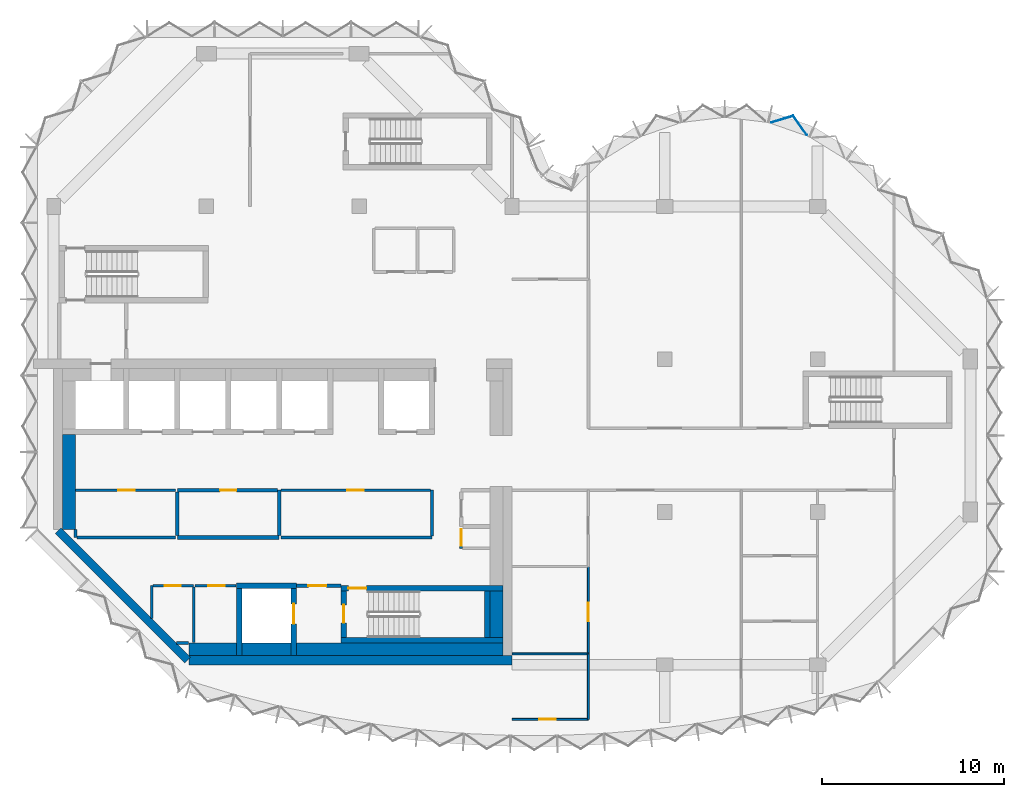
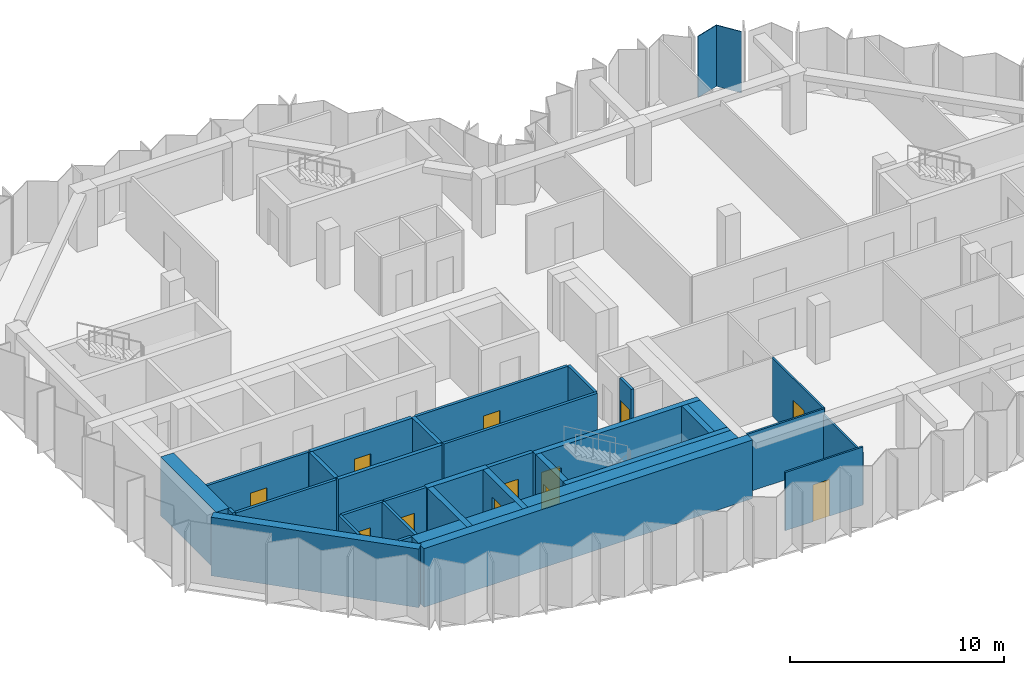
# One storey, part 4 of 9: 35 walls, 12 doors, 1 plate, 12 openings, 1 element without a shape of its own.
"""IFC4 building model written with IfcOpenShell, lengths in metres."""

from ifc_helpers import new_model, si_unit, direction, frame, frame_2d, origin, place, context, subcontext, project, spatial, polyline, rectangle, outline, extrude, material, layer, layer_set, type_object, element, fill, aggregate, save


model = new_model("IFC4")

# Units and contexts
model_context = context("Model", 3, precision=1e-05, world=origin(), true_north=direction((0.0, 1.0)))
body_context = subcontext(model_context, "Body", "Model", "MODEL_VIEW")
ifc_project = project(units=[si_unit("LENGTHUNIT", "METRE"), si_unit("AREAUNIT", "SQUARE_METRE"), si_unit("VOLUMEUNIT", "CUBIC_METRE"), si_unit("PLANEANGLEUNIT", "RADIAN"), si_unit("MASSUNIT", "GRAM", prefix="KILO")], contexts=[model_context])

# Site, building, storey
site_placement = place(None, origin())
site = spatial("IfcSite", under=ifc_project, at=site_placement, CompositionType="ELEMENT")
building_placement = place(site_placement, origin())
building = spatial("IfcBuilding", under=site, at=building_placement, Name="Brevane Broadcast Tower", CompositionType="ELEMENT")
storey_placement = place(building_placement, frame((0.0, 0.0, 226.5)))
storey = spatial("IfcBuildingStorey", under=building, at=storey_placement, Name="L57", CompositionType="ELEMENT", Elevation=226.5)

# Curtain wall, plate
ifc_material_1 = material(Name="Aluminium 6063-T6 bronze anodised", Category="aluminium")
curtain_wall_type = type_object("IfcCurtainWallType", Name="CW-1 curtain wall", PredefinedType="NOTDEFINED", material=ifc_material_1)
curtain_wall_placement = place(storey_placement, origin())
curtain_wall = element("IfcCurtainWall", 1, at=curtain_wall_placement, inside=storey, type_object=curtain_wall_type, Name="CW-1 typical tilted unit L57 east bow", PredefinedType="NOTDEFINED")
ifc_material_2 = material(Name="Laminated glass bronze-tinted", Category="glass")
ifc_layer_1 = layer(ifc_material_2, 0.0400390625)
ifc_layer_set_1 = layer_set([ifc_layer_1], Name="CW tall glass panel 40")
plate_type = type_object("IfcPlateType", Name="CW tall glass panel 40", PredefinedType="CURTAIN_PANEL", material=ifc_layer_set_1)
plate_placement = place(storey_placement, frame((0.0, 0.0, -0.14990234375)))
plate = element("IfcPlate", 2, at=plate_placement, type_object=plate_type, Name="CW-1 glass panel", PredefinedType="CURTAIN_PANEL", context=body_context, shape_type="SweptSolid", body=[
    extrude(outline(polyline([(41.3994140625, 29.104248046875), (41.4189453125, 29.1455078125), (40.667724609375, 30.20166015625), (39.45068359375, 29.83349609375), (39.440185546875, 29.78857421875), (40.65185546875, 30.155029296875), (41.3994140625, 29.104248046875)])), origin(), (0.0, 0.0, 1.0), 3.5),
])
aggregate(curtain_wall, [plate])

# Walls
ifc_material_3 = material(Name="Concrete C32/40", Category="concrete")
ifc_layer_2 = layer(ifc_material_3, 0.699951171875)
ifc_layer_set_2 = layer_set([ifc_layer_2], Name="Core chase wall 700 mm")
wall_type_1 = type_object("IfcWallType", Name="Core chase wall 700 mm", PredefinedType="PARTITIONING", material=ifc_layer_set_2)
wall_1_placement = place(storey_placement, frame((0.85009765625, 7.436279296875, 0.0), z_axis=(0.0, 0.0, 1.0), x_axis=(0.0, 1.0, 0.0)))
element("IfcWall", 3, at=wall_1_placement, inside=storey, type_object=wall_type_1, Name="L57 chase wall LW-1", PredefinedType="PARTITIONING", context=body_context, shape_type="SweptSolid", body=[
    extrude(rectangle(XDim=5.213623046875, YDim=0.699951171875, at=frame_2d((2.60693359375, 0.0))), origin(), (0.0, 0.0, 1.0), 3.35009765625),
])
wall_2_placement = place(storey_placement, frame((7.436279296875, 0.85009765625, 0.0), z_axis=(0.0, 0.0, 1.0), x_axis=(1.0, 0.0, 0.0)))
element("IfcWall", 4, at=wall_2_placement, inside=storey, type_object=wall_type_1, Name="L57 chase wall LS-1", PredefinedType="PARTITIONING", context=body_context, shape_type="SweptSolid", body=[
    extrude(rectangle(XDim=2.61376953125, YDim=0.699951171875, at=frame_2d((1.306884765625, 0.0))), origin(), (0.0, 0.0, 1.0), 3.35009765625),
])
wall_3_placement = place(storey_placement, frame((10.35009765625, 0.85009765625, 0.0), z_axis=(0.0, 0.0, 1.0), x_axis=(1.0, 0.0, 0.0)))
element("IfcWall", 5, at=wall_3_placement, inside=storey, type_object=wall_type_1, Name="L57 chase wall LS-2-1", PredefinedType="PARTITIONING", context=body_context, shape_type="SweptSolid", body=[
    extrude(rectangle(XDim=2.699951171875, YDim=0.699951171875, at=frame_2d((1.35009765625, 0.0))), origin(), (0.0, 0.0, 1.0), 3.35009765625),
])
wall_4_placement = place(storey_placement, frame((13.35009765625, 0.85009765625, 0.0), z_axis=(0.0, 0.0, 1.0), x_axis=(1.0, 0.0, 0.0)))
element("IfcWall", 6, at=wall_4_placement, inside=storey, type_object=wall_type_1, Name="L57 chase wall LS-2-2", PredefinedType="PARTITIONING", context=body_context, shape_type="SweptSolid", body=[
    extrude(rectangle(XDim=11.349853515625, YDim=0.699951171875, at=frame_2d((5.6748046875, 0.0))), origin(), (0.0, 0.0, 1.0), 3.35009765625),
])
wall_5_placement = place(storey_placement, frame((24.35009765625, 1.5, 0.0), z_axis=(0.0, 0.0, 1.0), x_axis=(0.0, 1.0, 0.0)))
element("IfcWall", 7, at=wall_5_placement, inside=storey, type_object=wall_type_1, Name="L57 chase wall LE1-2-1", PredefinedType="PARTITIONING", context=body_context, shape_type="SweptSolid", body=[
    extrude(rectangle(XDim=2.550048828125, YDim=0.699951171875, at=frame_2d((1.27490234375, 0.0))), origin(), (0.0, 0.0, 1.0), 3.35009765625),
])
ifc_material_4 = material(Name="Gypsum board on steel studs", Category="steel")
ifc_layer_3 = layer(ifc_material_4, 0.14990234375)
ifc_layer_set_3 = layer_set([ifc_layer_3], Name="Core fire partition 150 mm")
wall_type_2 = type_object("IfcWallType", Name="Core fire partition 150 mm", PredefinedType="PARTITIONING", material=ifc_layer_set_3)
wall_6_placement = place(storey_placement, frame((5.39990234375, 2.553466796875, 0.0), z_axis=(0.0, 0.0, 1.0), x_axis=(0.0, 1.0, 0.0)))
element("IfcWall", 8, at=wall_6_placement, inside=storey, type_object=wall_type_2, Name="L57 partition wall P11", PredefinedType="PARTITIONING", context=body_context, shape_type="SweptSolid", body=[
    extrude(rectangle(XDim=1.796630859375, YDim=0.14990234375, at=frame_2d((0.8984375, 0.0))), origin(), (0.0, 0.0, 1.0), 3.35009765625),
])

# Wall, opening, door
wall_7_placement = place(storey_placement, frame((5.47509765625, 4.35009765625, 0.0), z_axis=(0.0, 0.0, 1.0), x_axis=(1.0, 0.0, 0.0)))
wall_7 = element("IfcWall", 9, at=wall_7_placement, inside=storey, type_object=wall_type_2, Name="L57 partition wall P12", PredefinedType="PARTITIONING", context=body_context, shape_type="SweptSolid", body=[
    extrude(rectangle(XDim=2.224853515625, YDim=0.14990234375, at=frame_2d((1.1123046875, 0.0))), origin(), (0.0, 0.0, 1.0), 3.35009765625),
])
opening_1_placement = place(wall_7_placement, frame((0.625, 0.0, 0.0)))
opening_1 = element("IfcOpeningElement", 10, at=opening_1_placement, cuts=wall_7, Name="Opening L57-K14", PredefinedType="OPENING", context=body_context, shape_type="SweptSolid", body=[
    extrude(rectangle(XDim=0.89990234375, YDim=2.10009765625, at=frame_2d((0.449951171875, 1.050048828125))), frame((0.0, 0.0849609375, 0.0), z_axis=(0.0, -1.0, 0.0), x_axis=(1.0, 0.0, 0.0)), (0.0, 0.0, 1.0), 0.169921875),
])
ifc_material_5 = material(Name="Timber", Category="wood")
door_type_1 = type_object("IfcDoorType", Name="Toilet door 900 x 2100", OperationType="SINGLE_SWING_LEFT", PredefinedType="DOOR", material=ifc_material_5)
door_1_placement = place(opening_1_placement, origin())
door_1 = element("IfcDoor", 11, at=door_1_placement, inside=storey, type_object=door_type_1, Name="Door L57-K14", OperationType="SINGLE_SWING_RIGHT", OverallHeight=2.10009765625, OverallWidth=0.89990234375, PredefinedType="DOOR", context=body_context, shape_type="SweptSolid", body=[
    extrude(rectangle(XDim=0.89990234375, YDim=2.10009765625, at=frame_2d((0.449951171875, 1.050048828125))), frame((0.0, 0.02490234375, 0.0), z_axis=(0.0, -1.0, 0.0), x_axis=(1.0, 0.0, 0.0)), (0.0, 0.0, 1.0), 0.050048828125),
])
fill(opening_1, door_1)

# Walls
wall_8_placement = place(storey_placement, frame((7.699951171875, 4.27490234375, 0.0), z_axis=(0.0, 0.0, 1.0), x_axis=(0.0, -1.0, 0.0)))
element("IfcWall", 12, at=wall_8_placement, inside=storey, type_object=wall_type_2, Name="L57 partition wall P13", PredefinedType="PARTITIONING", context=body_context, shape_type="SweptSolid", body=[
    extrude(rectangle(XDim=3.06298828125, YDim=0.14990234375, at=frame_2d((1.531494140625, 0.0))), origin(), (0.0, 0.0, 1.0), 3.35009765625),
])
wall_9_placement = place(storey_placement, frame((7.42431640625, 1.199951171875, 0.0), z_axis=(0.0, 0.0, 1.0), x_axis=(-1.0, 0.0, 0.0)))
element("IfcWall", 13, at=wall_9_placement, inside=storey, type_object=wall_type_2, Name="L57 partition wall P14", PredefinedType="PARTITIONING", context=body_context, shape_type="SweptSolid", body=[
    extrude(rectangle(XDim=0.6708984375, YDim=0.14990234375, at=frame_2d((0.33544921875, 0.0))), origin(), (0.0, 0.0, 1.0), 3.35009765625),
])

# Wall, opening, door
wall_10_placement = place(storey_placement, frame((6.699951171875, 9.60009765625, 0.0), z_axis=(0.0, 0.0, 1.0), x_axis=(-1.0, 0.0, 0.0)))
wall_10 = element("IfcWall", 14, at=wall_10_placement, inside=storey, type_object=wall_type_2, Name="L57 partition wall P15", PredefinedType="PARTITIONING", context=body_context, shape_type="SweptSolid", body=[
    extrude(rectangle(XDim=5.488037109375, YDim=0.14990234375, at=frame_2d((2.744140625, 0.0))), origin(), (0.0, 0.0, 1.0), 3.35009765625),
])
opening_2_placement = place(wall_10_placement, frame((2.25, 0.0, 0.0)))
opening_2 = element("IfcOpeningElement", 15, at=opening_2_placement, cuts=wall_10, Name="Opening L57-K19", PredefinedType="OPENING", context=body_context, shape_type="SweptSolid", body=[
    extrude(rectangle(XDim=0.89990234375, YDim=2.10009765625, at=frame_2d((0.449951171875, 1.050048828125))), frame((0.0, 0.0849609375, 0.0), z_axis=(0.0, -1.0, 0.0), x_axis=(1.0, 0.0, 0.0)), (0.0, 0.0, 1.0), 0.169921875),
])
ifc_material_6 = material(Name="Steel", Category="steel")
door_type_2 = type_object("IfcDoorType", Name="Service room door 900 x 2100", OperationType="SINGLE_SWING_LEFT", PredefinedType="DOOR", material=ifc_material_6)
door_2_placement = place(opening_2_placement, origin())
door_2 = element("IfcDoor", 16, at=door_2_placement, inside=storey, type_object=door_type_2, Name="Door L57-K19", OperationType="SINGLE_SWING_LEFT", OverallHeight=2.10009765625, OverallWidth=0.89990234375, PredefinedType="DOOR", context=body_context, shape_type="SweptSolid", body=[
    extrude(rectangle(XDim=0.89990234375, YDim=2.10009765625, at=frame_2d((0.449951171875, 1.050048828125))), frame((0.0, 0.02490234375, 0.0), z_axis=(0.0, -1.0, 0.0), x_axis=(1.0, 0.0, 0.0)), (0.0, 0.0, 1.0), 0.050048828125),
])
fill(opening_2, door_2)

# Walls
wall_11_placement = place(storey_placement, frame((1.199951171875, 7.42431640625, 0.0), z_axis=(0.0, 0.0, 1.0), x_axis=(0.0, -1.0, 0.0)))
element("IfcWall", 17, at=wall_11_placement, inside=storey, type_object=wall_type_2, Name="L57 partition wall P16", PredefinedType="PARTITIONING", context=body_context, shape_type="SweptSolid", body=[
    extrude(rectangle(XDim=0.42431640625, YDim=0.14990234375, at=frame_2d((0.212158203125, 0.0))), origin(), (0.0, 0.0, 1.0), 3.35009765625),
])
wall_12_placement = place(storey_placement, frame((1.27490234375, 7.0, 0.0), z_axis=(0.0, 0.0, 1.0), x_axis=(1.0, 0.0, 0.0)))
element("IfcWall", 18, at=wall_12_placement, inside=storey, type_object=wall_type_2, Name="L57 partition wall P17", PredefinedType="PARTITIONING", context=body_context, shape_type="SweptSolid", body=[
    extrude(rectangle(XDim=5.425048828125, YDim=0.14990234375, at=frame_2d((2.71240234375, 0.0))), origin(), (0.0, 0.0, 1.0), 3.35009765625),
])

# Wall, opening, door
wall_13_placement = place(storey_placement, frame((10.0380859375, 4.35009765625, 0.0), z_axis=(0.0, 0.0, 1.0), x_axis=(-1.0, 0.0, 0.0)))
wall_13 = element("IfcWall", 19, at=wall_13_placement, inside=storey, type_object=wall_type_2, Name="L57 partition wall P18", PredefinedType="PARTITIONING", context=body_context, shape_type="SweptSolid", body=[
    extrude(rectangle(XDim=2.26318359375, YDim=0.14990234375, at=frame_2d((1.131591796875, 0.0))), origin(), (0.0, 0.0, 1.0), 3.35009765625),
])
opening_3_placement = place(wall_13_placement, frame((0.637939453125, 0.0, 0.0)))
opening_3 = element("IfcOpeningElement", 20, at=opening_3_placement, cuts=wall_13, Name="Opening L57-K15", PredefinedType="OPENING", context=body_context, shape_type="SweptSolid", body=[
    extrude(rectangle(XDim=0.89990234375, YDim=2.10009765625, at=frame_2d((0.449951171875, 1.050048828125))), frame((0.0, 0.0849609375, 0.0), z_axis=(0.0, -1.0, 0.0), x_axis=(1.0, 0.0, 0.0)), (0.0, 0.0, 1.0), 0.169921875),
])
door_3_placement = place(opening_3_placement, origin())
door_3 = element("IfcDoor", 21, at=door_3_placement, inside=storey, type_object=door_type_1, Name="Door L57-K15", OperationType="SINGLE_SWING_LEFT", OverallHeight=2.10009765625, OverallWidth=0.89990234375, PredefinedType="DOOR", context=body_context, shape_type="SweptSolid", body=[
    extrude(rectangle(XDim=0.89990234375, YDim=2.10009765625, at=frame_2d((0.449951171875, 1.050048828125))), frame((0.0, 0.02490234375, 0.0), z_axis=(0.0, -1.0, 0.0), x_axis=(1.0, 0.0, 0.0)), (0.0, 0.0, 1.0), 0.050048828125),
])
fill(opening_3, door_3)

# Walls
wall_14_placement = place(storey_placement, frame((12.5, 7.0, 0.0), z_axis=(0.0, 0.0, 1.0), x_axis=(1.0, 0.0, 0.0)))
element("IfcWall", 22, at=wall_14_placement, inside=storey, type_object=wall_type_2, Name="L57 partition wall P19", PredefinedType="PARTITIONING", context=body_context, shape_type="SweptSolid", body=[
    extrude(rectangle(XDim=8.300048828125, YDim=0.14990234375, at=frame_2d((4.14990234375, 0.0))), origin(), (0.0, 0.0, 1.0), 3.35009765625),
])
wall_15_placement = place(storey_placement, frame((20.800048828125, 7.074951171875, 0.0), z_axis=(0.0, 0.0, 1.0), x_axis=(0.0, 1.0, 0.0)))
element("IfcWall", 23, at=wall_15_placement, inside=storey, type_object=wall_type_2, Name="L57 partition wall P20", PredefinedType="PARTITIONING", context=body_context, shape_type="SweptSolid", body=[
    extrude(rectangle(XDim=2.525146484375, YDim=0.14990234375, at=frame_2d((1.2626953125, 0.0))), origin(), (0.0, 0.0, 1.0), 3.35009765625),
])

# Wall, opening, door
wall_16_placement = place(storey_placement, frame((20.72509765625, 9.60009765625, 0.0), z_axis=(0.0, 0.0, 1.0), x_axis=(-1.0, 0.0, 0.0)))
wall_16 = element("IfcWall", 24, at=wall_16_placement, inside=storey, type_object=wall_type_2, Name="L57 partition wall P21", PredefinedType="PARTITIONING", context=body_context, shape_type="SweptSolid", body=[
    extrude(rectangle(XDim=8.22509765625, YDim=0.14990234375, at=frame_2d((4.112548828125, 0.0))), origin(), (0.0, 0.0, 1.0), 3.35009765625),
])
opening_4_placement = place(wall_16_placement, frame((3.675048828125, 0.0, 0.0)))
opening_4 = element("IfcOpeningElement", 25, at=opening_4_placement, cuts=wall_16, Name="Opening L57-K21", PredefinedType="OPENING", context=body_context, shape_type="SweptSolid", body=[
    extrude(rectangle(XDim=0.89990234375, YDim=2.10009765625, at=frame_2d((0.449951171875, 1.050048828125))), frame((0.0, 0.0849609375, 0.0), z_axis=(0.0, -1.0, 0.0), x_axis=(1.0, 0.0, 0.0)), (0.0, 0.0, 1.0), 0.169921875),
])
door_4_placement = place(opening_4_placement, origin())
door_4 = element("IfcDoor", 26, at=door_4_placement, inside=storey, type_object=door_type_2, Name="Door L57-K21", OperationType="SINGLE_SWING_LEFT", OverallHeight=2.10009765625, OverallWidth=0.89990234375, PredefinedType="DOOR", context=body_context, shape_type="SweptSolid", body=[
    extrude(rectangle(XDim=0.89990234375, YDim=2.10009765625, at=frame_2d((0.449951171875, 1.050048828125))), frame((0.0, 0.02490234375, 0.0), z_axis=(0.0, -1.0, 0.0), x_axis=(1.0, 0.0, 0.0)), (0.0, 0.0, 1.0), 0.050048828125),
])
fill(opening_4, door_4)

wall_17_placement = place(storey_placement, frame((22.39990234375, 7.5, 0.0), z_axis=(0.0, 0.0, 1.0), x_axis=(0.0, -1.0, 0.0)))
wall_17 = element("IfcWall", 27, at=wall_17_placement, inside=storey, type_object=wall_type_2, Name="L57 partition wall P29", PredefinedType="PARTITIONING", context=body_context, shape_type="SweptSolid", body=[
    extrude(rectangle(XDim=1.10009765625, YDim=0.14990234375, at=frame_2d((0.550048828125, 0.0))), origin(), (0.0, 0.0, 1.0), 3.35009765625),
])
opening_5_placement = place(wall_17_placement, frame((0.050048828125, 0.0, 0.0)))
opening_5 = element("IfcOpeningElement", 28, at=opening_5_placement, cuts=wall_17, Name="Opening L57-K17", PredefinedType="OPENING", context=body_context, shape_type="SweptSolid", body=[
    extrude(rectangle(XDim=0.89990234375, YDim=2.10009765625, at=frame_2d((0.449951171875, 1.050048828125))), frame((0.0, 0.0849609375, 0.0), z_axis=(0.0, -1.0, 0.0), x_axis=(1.0, 0.0, 0.0)), (0.0, 0.0, 1.0), 0.169921875),
])
door_5_placement = place(opening_5_placement, origin())
door_5 = element("IfcDoor", 29, at=door_5_placement, inside=storey, type_object=door_type_2, Name="Door L57-K17", OperationType="SINGLE_SWING_LEFT", OverallHeight=2.10009765625, OverallWidth=0.89990234375, PredefinedType="DOOR", context=body_context, shape_type="SweptSolid", body=[
    extrude(rectangle(XDim=0.89990234375, YDim=2.10009765625, at=frame_2d((0.449951171875, 1.050048828125))), frame((0.0, 0.02490234375, 0.0), z_axis=(0.0, -1.0, 0.0), x_axis=(1.0, 0.0, 0.0)), (0.0, 0.0, 1.0), 0.050048828125),
])
fill(opening_5, door_5)

ifc_layer_4 = layer(ifc_material_4, 0.199951171875)
ifc_layer_set_4 = layer_set([ifc_layer_4], Name="Core fire partition 200 mm")
wall_type_3 = type_object("IfcWallType", Name="Core fire partition 200 mm", PredefinedType="PARTITIONING", material=ifc_layer_set_4)
wall_18_placement = place(storey_placement, frame((13.362060546875, 4.35009765625, 0.0), z_axis=(0.0, 0.0, 1.0), x_axis=(1.0, 0.0, 0.0)))
wall_18 = element("IfcWall", 30, at=wall_18_placement, inside=storey, type_object=wall_type_3, Name="L57 partition wall P03", PredefinedType="PARTITIONING", context=body_context, shape_type="SweptSolid", body=[
    extrude(rectangle(XDim=2.426025390625, YDim=0.199951171875, at=frame_2d((1.212890625, 0.0))), origin(), (0.0, 0.0, 1.0), 3.35009765625),
])
opening_6_placement = place(wall_18_placement, frame((0.637939453125, 0.0, 0.0)))
opening_6 = element("IfcOpeningElement", 31, at=opening_6_placement, cuts=wall_18, Name="Opening L57-K16", PredefinedType="OPENING", context=body_context, shape_type="SweptSolid", body=[
    extrude(rectangle(XDim=1.0, YDim=2.10009765625, at=frame_2d((0.5, 1.050048828125))), frame((0.0, 0.10986328125, 0.0), z_axis=(0.0, -1.0, 0.0), x_axis=(1.0, 0.0, 0.0)), (0.0, 0.0, 1.0), 0.219970703125),
])
door_type_3 = type_object("IfcDoorType", Name="Stair door 1000 x 2100", OperationType="SINGLE_SWING_LEFT", PredefinedType="DOOR", material=ifc_material_6)
door_6_placement = place(opening_6_placement, origin())
door_6 = element("IfcDoor", 32, at=door_6_placement, inside=storey, type_object=door_type_3, Name="Door L57-K16", OperationType="SINGLE_SWING_RIGHT", OverallHeight=2.10009765625, OverallWidth=1.0, PredefinedType="DOOR", context=body_context, shape_type="SweptSolid", body=[
    extrude(rectangle(XDim=1.0, YDim=2.10009765625, at=frame_2d((0.5, 1.050048828125))), frame((0.0, 0.02490234375, 0.0), z_axis=(0.0, -1.0, 0.0), x_axis=(1.0, 0.0, 0.0)), (0.0, 0.0, 1.0), 0.050048828125),
])
fill(opening_6, door_6)

# Walls
wall_19_placement = place(storey_placement, frame((6.800048828125, 7.0, 0.0), z_axis=(0.0, 0.0, 1.0), x_axis=(1.0, 0.0, 0.0)))
element("IfcWall", 33, at=wall_19_placement, inside=storey, type_object=wall_type_3, Name="L57 partition wall P07", PredefinedType="PARTITIONING", context=body_context, shape_type="SweptSolid", body=[
    extrude(rectangle(XDim=5.599853515625, YDim=0.199951171875, at=frame_2d((2.7998046875, 0.0))), origin(), (0.0, 0.0, 1.0), 3.35009765625),
])
wall_20_placement = place(storey_placement, frame((12.39990234375, 7.10009765625, 0.0), z_axis=(0.0, 0.0, 1.0), x_axis=(0.0, 1.0, 0.0)))
element("IfcWall", 34, at=wall_20_placement, inside=storey, type_object=wall_type_3, Name="L57 partition wall P08", PredefinedType="PARTITIONING", context=body_context, shape_type="SweptSolid", body=[
    extrude(rectangle(XDim=2.5, YDim=0.199951171875, at=frame_2d((1.25, 0.0))), origin(), (0.0, 0.0, 1.0), 3.35009765625),
])

# Wall, opening, door
wall_21_placement = place(storey_placement, frame((12.300048828125, 9.60009765625, 0.0), z_axis=(0.0, 0.0, 1.0), x_axis=(-1.0, 0.0, 0.0)))
wall_21 = element("IfcWall", 35, at=wall_21_placement, inside=storey, type_object=wall_type_3, Name="L57 partition wall P09", PredefinedType="PARTITIONING", context=body_context, shape_type="SweptSolid", body=[
    extrude(rectangle(XDim=5.5, YDim=0.199951171875, at=frame_2d((2.75, 0.0))), origin(), (0.0, 0.0, 1.0), 3.35009765625),
])
opening_7_placement = place(wall_21_placement, frame((2.25, 0.0, 0.0)))
opening_7 = element("IfcOpeningElement", 36, at=opening_7_placement, cuts=wall_21, Name="Opening L57-K20", PredefinedType="OPENING", context=body_context, shape_type="SweptSolid", body=[
    extrude(rectangle(XDim=0.89990234375, YDim=2.10009765625, at=frame_2d((0.449951171875, 1.050048828125))), frame((0.0, 0.10986328125, 0.0), z_axis=(0.0, -1.0, 0.0), x_axis=(1.0, 0.0, 0.0)), (0.0, 0.0, 1.0), 0.219970703125),
])
door_7_placement = place(opening_7_placement, origin())
door_7 = element("IfcDoor", 37, at=door_7_placement, inside=storey, type_object=door_type_2, Name="Door L57-K20", OperationType="SINGLE_SWING_RIGHT", OverallHeight=2.10009765625, OverallWidth=0.89990234375, PredefinedType="DOOR", context=body_context, shape_type="SweptSolid", body=[
    extrude(rectangle(XDim=0.89990234375, YDim=2.10009765625, at=frame_2d((0.449951171875, 1.050048828125))), frame((0.0, 0.02490234375, 0.0), z_axis=(0.0, -1.0, 0.0), x_axis=(1.0, 0.0, 0.0)), (0.0, 0.0, 1.0), 0.050048828125),
])
fill(opening_7, door_7)

# Walls
wall_22_placement = place(storey_placement, frame((6.800048828125, 9.5, 0.0), z_axis=(0.0, 0.0, 1.0), x_axis=(0.0, -1.0, 0.0)))
element("IfcWall", 38, at=wall_22_placement, inside=storey, type_object=wall_type_3, Name="L57 partition wall P10", PredefinedType="PARTITIONING", context=body_context, shape_type="SweptSolid", body=[
    extrude(rectangle(XDim=2.39990234375, YDim=0.199951171875, at=frame_2d((1.199951171875, 0.0))), origin(), (0.0, 0.0, 1.0), 3.35009765625),
])
ifc_material_7 = material(Name="Concrete C50/60", Category="concrete")
ifc_layer_5 = layer(ifc_material_7, 0.300048828125)
ifc_layer_set_5 = layer_set([ifc_layer_5], Name="Core wall 300 mm C50/60")
wall_type_4 = type_object("IfcWallType", Name="Core wall 300 mm C50/60", PredefinedType="SHEAR", material=ifc_layer_set_5)
wall_23_placement = place(storey_placement, frame((10.199951171875, 0.5, 0.0), z_axis=(0.0, 0.0, 1.0), x_axis=(0.0, 1.0, 0.0)))
element("IfcWall", 39, at=wall_23_placement, inside=storey, type_object=wall_type_4, Name="L57 shaft wall FF2-W", PredefinedType="SHEAR", context=body_context, shape_type="SweptSolid", body=[
    extrude(rectangle(XDim=3.699951171875, YDim=0.300048828125, at=frame_2d((1.85009765625, 0.0))), origin(), (0.0, 0.0, 1.0), 3.35009765625),
])

# Wall, opening, door
wall_24_placement = place(storey_placement, frame((13.199951171875, 0.5, 0.0), z_axis=(0.0, 0.0, 1.0), x_axis=(0.0, 1.0, 0.0)))
wall_24 = element("IfcWall", 40, at=wall_24_placement, inside=storey, type_object=wall_type_4, Name="L57 shaft wall FF2-E", PredefinedType="SHEAR", context=body_context, shape_type="SweptSolid", body=[
    extrude(rectangle(XDim=3.699951171875, YDim=0.300048828125, at=frame_2d((1.85009765625, 0.0))), origin(), (0.0, 0.0, 1.0), 3.35009765625),
])
opening_8_placement = place(wall_24_placement, frame((1.75, 0.0, 0.0)))
opening_8 = element("IfcOpeningElement", 41, at=opening_8_placement, cuts=wall_24, Name="Opening LD", PredefinedType="OPENING", context=body_context, shape_type="SweptSolid", body=[
    extrude(rectangle(XDim=1.10009765625, YDim=2.300048828125, at=frame_2d((0.550048828125, 1.14990234375))), frame((0.0, 0.159912109375, 0.0), z_axis=(0.0, -1.0, 0.0), x_axis=(1.0, 0.0, 0.0)), (0.0, 0.0, 1.0), 0.320068359375),
])
ifc_material_8 = material(Name="Stainless steel", Category="steel")
door_type_4 = type_object("IfcDoorType", Name="Lift landing door", OperationType="SLIDING_TO_LEFT", PredefinedType="DOOR", material=ifc_material_8)
door_8_placement = place(opening_8_placement, origin())
door_8 = element("IfcDoor", 42, at=door_8_placement, inside=storey, type_object=door_type_4, Name="Landing door FF2 L57", OperationType="SLIDING_TO_LEFT", OverallHeight=2.300048828125, OverallWidth=1.10009765625, PredefinedType="DOOR", context=body_context, shape_type="SweptSolid", body=[
    extrude(rectangle(XDim=1.10009765625, YDim=2.300048828125, at=frame_2d((0.550048828125, 1.14990234375))), frame((0.0, 0.02490234375, 0.0), z_axis=(0.0, -1.0, 0.0), x_axis=(1.0, 0.0, 0.0)), (0.0, 0.0, 1.0), 0.050048828125),
])
fill(opening_8, door_8)

# Walls
wall_25_placement = place(storey_placement, frame((10.050048828125, 4.35009765625, 0.0), z_axis=(0.0, 0.0, 1.0), x_axis=(1.0, 0.0, 0.0)))
element("IfcWall", 43, at=wall_25_placement, inside=storey, type_object=wall_type_4, Name="L57 shaft wall FF2-N", PredefinedType="SHEAR", context=body_context, shape_type="SweptSolid", body=[
    extrude(rectangle(XDim=3.300048828125, YDim=0.300048828125, at=frame_2d((1.64990234375, 0.0))), origin(), (0.0, 0.0, 1.0), 3.35009765625),
])
wall_26_placement = place(storey_placement, frame((15.800048828125, 1.35009765625, 0.0), z_axis=(0.0, 0.0, 1.0), x_axis=(1.0, 0.0, 0.0)))
element("IfcWall", 44, at=wall_26_placement, inside=storey, type_object=wall_type_4, Name="L57 stair wall ST-2-S", PredefinedType="SHEAR", context=body_context, shape_type="SweptSolid", body=[
    extrude(rectangle(XDim=8.89990234375, YDim=0.300048828125, at=frame_2d((4.449951171875, 0.0))), origin(), (0.0, 0.0, 1.0), 3.35009765625),
])

# Wall, opening, door
wall_27_placement = place(storey_placement, frame((15.800048828125, 4.199951171875, 0.0), z_axis=(0.0, 0.0, 1.0), x_axis=(1.0, 0.0, 0.0)))
wall_27 = element("IfcWall", 45, at=wall_27_placement, inside=storey, type_object=wall_type_4, Name="L57 stair wall ST-2-N", PredefinedType="SHEAR", context=body_context, shape_type="SweptSolid", body=[
    extrude(rectangle(XDim=8.89990234375, YDim=0.300048828125, at=frame_2d((4.449951171875, 0.0))), origin(), (0.0, 0.0, 1.0), 3.35009765625),
])
opening_9_placement = place(wall_27_placement, frame((0.39990234375, 0.0, 0.0)))
opening_9 = element("IfcOpeningElement", 46, at=opening_9_placement, cuts=wall_27, Name="Opening L57-K11", PredefinedType="OPENING", context=body_context, shape_type="SweptSolid", body=[
    extrude(rectangle(XDim=1.0, YDim=2.10009765625, at=frame_2d((0.5, 1.050048828125))), frame((0.0, 0.159912109375, 0.0), z_axis=(0.0, -1.0, 0.0), x_axis=(1.0, 0.0, 0.0)), (0.0, 0.0, 1.0), 0.320068359375),
])
door_9_placement = place(opening_9_placement, origin())
door_9 = element("IfcDoor", 47, at=door_9_placement, inside=storey, type_object=door_type_3, Name="Door L57-K11", OperationType="SINGLE_SWING_LEFT", OverallHeight=2.10009765625, OverallWidth=1.0, PredefinedType="DOOR", context=body_context, shape_type="SweptSolid", body=[
    extrude(rectangle(XDim=1.0, YDim=2.10009765625, at=frame_2d((0.5, 1.050048828125))), frame((0.0, 0.02490234375, 0.0), z_axis=(0.0, -1.0, 0.0), x_axis=(1.0, 0.0, 0.0)), (0.0, 0.0, 1.0), 0.050048828125),
])
fill(opening_9, door_9)

wall_28_placement = place(storey_placement, frame((15.949951171875, 1.5, 0.0), z_axis=(0.0, 0.0, 1.0), x_axis=(0.0, 1.0, 0.0)))
wall_28 = element("IfcWall", 48, at=wall_28_placement, inside=storey, type_object=wall_type_4, Name="L57 stair wall ST-2-W", PredefinedType="SHEAR", context=body_context, shape_type="SweptSolid", body=[
    extrude(rectangle(XDim=2.550048828125, YDim=0.300048828125, at=frame_2d((1.27490234375, 0.0))), origin(), (0.0, 0.0, 1.0), 3.35009765625),
])
opening_10_placement = place(wall_28_placement, frame((0.800048828125, 0.0, 0.0)))
opening_10 = element("IfcOpeningElement", 49, at=opening_10_placement, cuts=wall_28, Name="Opening L57-K10", PredefinedType="OPENING", context=body_context, shape_type="SweptSolid", body=[
    extrude(rectangle(XDim=1.0, YDim=2.10009765625, at=frame_2d((0.5, 1.050048828125))), frame((0.0, 0.159912109375, 0.0), z_axis=(0.0, -1.0, 0.0), x_axis=(1.0, 0.0, 0.0)), (0.0, 0.0, 1.0), 0.320068359375),
])
door_10_placement = place(opening_10_placement, origin())
door_10 = element("IfcDoor", 50, at=door_10_placement, inside=storey, type_object=door_type_3, Name="Door L57-K10", OperationType="SINGLE_SWING_RIGHT", OverallHeight=2.10009765625, OverallWidth=1.0, PredefinedType="DOOR", context=body_context, shape_type="SweptSolid", body=[
    extrude(rectangle(XDim=1.0, YDim=2.10009765625, at=frame_2d((0.5, 1.050048828125))), frame((0.0, 0.02490234375, 0.0), z_axis=(0.0, -1.0, 0.0), x_axis=(1.0, 0.0, 0.0)), (0.0, 0.0, 1.0), 0.050048828125),
])
fill(opening_10, door_10)

# Walls
wall_29_placement = place(storey_placement, frame((23.85009765625, 1.5, 0.0), z_axis=(0.0, 0.0, 1.0), x_axis=(0.0, 1.0, 0.0)))
element("IfcWall", 51, at=wall_29_placement, inside=storey, type_object=wall_type_4, Name="L57 stair wall ST-2-E", PredefinedType="SHEAR", context=body_context, shape_type="SweptSolid", body=[
    extrude(rectangle(XDim=2.550048828125, YDim=0.300048828125, at=frame_2d((1.27490234375, 0.0))), origin(), (0.0, 0.0, 1.0), 3.35009765625),
])
ifc_layer_6 = layer(ifc_material_7, 0.449951171875)
ifc_layer_set_6 = layer_set([ifc_layer_6], Name="Core wall 450 mm C50/60")
wall_type_5 = type_object("IfcWallType", Name="Core wall 450 mm C50/60", PredefinedType="SHEAR", material=ifc_layer_set_6)
wall_30_placement = place(storey_placement, frame((0.25, 7.3681640625, 0.0), z_axis=(0.0, 0.0, 1.0), x_axis=(0.707106781187, -0.707106781187, 0.0)))
element("IfcWall", 52, at=wall_30_placement, inside=storey, type_object=wall_type_5, Name="L57 outer wall WC", PredefinedType="SHEAR", context=body_context, shape_type="SweptSolid", body=[
    extrude(rectangle(XDim=10.066650390625, YDim=0.449951171875, at=frame_2d((5.033203125, 0.0))), origin(), (0.0, 0.0, 1.0), 3.35009765625),
])
ifc_layer_7 = layer(ifc_material_7, 0.5)
ifc_layer_set_7 = layer_set([ifc_layer_7], Name="Core wall 500 mm C50/60")
wall_type_6 = type_object("IfcWallType", Name="Core wall 500 mm C50/60", PredefinedType="SHEAR", material=ifc_layer_set_7)
wall_31_placement = place(storey_placement, frame((7.436279296875, 0.25, 0.0), z_axis=(0.0, 0.0, 1.0), x_axis=(1.0, 0.0, 0.0)))
element("IfcWall", 53, at=wall_31_placement, inside=storey, type_object=wall_type_6, Name="L57 outer wall WS", PredefinedType="SHEAR", context=body_context, shape_type="SweptSolid", body=[
    extrude(rectangle(XDim=17.763671875, YDim=0.5, at=frame_2d((8.8818359375, 0.0))), origin(), (0.0, 0.0, 1.0), 3.35009765625),
])

# Wall, opening, door
ifc_material_9 = material(Name="Gypsum board partition")
ifc_layer_8 = layer(ifc_material_9, 0.10009765625)
ifc_layer_set_8 = layer_set([ifc_layer_8], Name="PARTITION 100 STUD")
wall_type_7 = type_object("IfcWallType", Name="PARTITION 100 STUD", PredefinedType="PARTITIONING", material=ifc_layer_set_8)
wall_32_placement = place(storey_placement, frame((25.199951171875, -3.0, 0.0), z_axis=(0.0, 0.0, 1.0), x_axis=(1.0, 0.0, 0.0)))
wall_32 = element("IfcWall", 54, at=wall_32_placement, inside=storey, type_object=wall_type_7, Name="Partition G17-017", PredefinedType="PARTITIONING", context=body_context, shape_type="SweptSolid", body=[
    extrude(rectangle(XDim=4.199951171875, YDim=0.10009765625, at=frame_2d((2.10009765625, 0.0))), origin(), (0.0, 0.0, 1.0), 3.330078125),
])
opening_11_placement = place(wall_32_placement, frame((1.5, 0.0, 0.0)))
opening_11 = element("IfcOpeningElement", 55, at=opening_11_placement, cuts=wall_32, Name="Opening D28-007", PredefinedType="OPENING", context=body_context, shape_type="SweptSolid", body=[
    extrude(rectangle(XDim=0.89990234375, YDim=2.10009765625, at=frame_2d((0.449951171875, 1.050048828125))), frame((0.0, 0.06005859375, 0.0), z_axis=(0.0, -1.0, 0.0), x_axis=(1.0, 0.0, 0.0)), (0.0, 0.0, 1.0), 0.1201171875),
])
ifc_material_10 = material(Name="Timber door leaf", Category="wood")
door_type_5 = type_object("IfcDoorType", Name="DOOR SINGLE 900 INTERNAL", OperationType="SINGLE_SWING_LEFT", PredefinedType="DOOR", material=ifc_material_10)
door_11_placement = place(opening_11_placement, origin())
door_11 = element("IfcDoor", 56, at=door_11_placement, inside=storey, type_object=door_type_5, Name="Door D28-007", OperationType="SINGLE_SWING_LEFT", OverallHeight=2.10009765625, OverallWidth=0.89990234375, PredefinedType="DOOR", context=body_context, shape_type="SweptSolid", body=[
    extrude(rectangle(XDim=0.89990234375, YDim=2.10009765625, at=frame_2d((0.449951171875, 1.050048828125))), frame((0.0, 0.02490234375, 0.0), z_axis=(0.0, -1.0, 0.0), x_axis=(1.0, 0.0, 0.0)), (0.0, 0.0, 1.0), 0.050048828125),
])
fill(opening_11, door_11)

# Wall
wall_33_placement = place(storey_placement, frame((29.39990234375, -3.0, 0.0), z_axis=(0.0, 0.0, 1.0), x_axis=(0.0, 1.0, 0.0)))
element("IfcWall", 57, at=wall_33_placement, inside=storey, type_object=wall_type_7, Name="Partition G17-018", PredefinedType="PARTITIONING", context=body_context, shape_type="SweptSolid", body=[
    extrude(rectangle(XDim=3.60009765625, YDim=0.10009765625, at=frame_2d((1.800048828125, 0.0))), origin(), (0.0, 0.0, 1.0), 2.97998046875),
])

# Wall, opening, door
wall_34_placement = place(storey_placement, frame((29.39990234375, 0.60009765625, 0.0), z_axis=(0.0, 0.0, 1.0), x_axis=(0.0, 1.0, 0.0)))
wall_34 = element("IfcWall", 58, at=wall_34_placement, inside=storey, type_object=wall_type_7, Name="Partition G17-019", PredefinedType="PARTITIONING", context=body_context, shape_type="SweptSolid", body=[
    extrude(rectangle(XDim=4.7998046875, YDim=0.10009765625, at=frame_2d((2.39990234375, 0.0))), origin(), (0.0, 0.0, 1.0), 3.330078125),
])
opening_12_placement = place(wall_34_placement, frame((1.800048828125, 0.0, 0.0)))
opening_12 = element("IfcOpeningElement", 59, at=opening_12_placement, cuts=wall_34, Name="Opening D28-008", PredefinedType="OPENING", context=body_context, shape_type="SweptSolid", body=[
    extrude(rectangle(XDim=1.0, YDim=2.10009765625, at=frame_2d((0.5, 1.050048828125))), frame((0.0, 0.06005859375, 0.0), z_axis=(0.0, -1.0, 0.0), x_axis=(1.0, 0.0, 0.0)), (0.0, 0.0, 1.0), 0.1201171875),
])
door_type_6 = type_object("IfcDoorType", Name="DOOR SINGLE 1000 INTERNAL", OperationType="SINGLE_SWING_LEFT", PredefinedType="DOOR", material=ifc_material_10)
door_12_placement = place(opening_12_placement, origin())
door_12 = element("IfcDoor", 60, at=door_12_placement, inside=storey, type_object=door_type_6, Name="Door D28-008", OperationType="SINGLE_SWING_LEFT", OverallHeight=2.10009765625, OverallWidth=1.0, PredefinedType="DOOR", context=body_context, shape_type="SweptSolid", body=[
    extrude(rectangle(XDim=1.0, YDim=2.10009765625, at=frame_2d((0.5, 1.050048828125))), frame((0.0, 0.02490234375, 0.0), z_axis=(0.0, -1.0, 0.0), x_axis=(1.0, 0.0, 0.0)), (0.0, 0.0, 1.0), 0.050048828125),
])
fill(opening_12, door_12)

# Wall
wall_35_placement = place(storey_placement, frame((25.199951171875, 0.60009765625, 0.0), z_axis=(0.0, 0.0, 1.0), x_axis=(1.0, 0.0, 0.0)))
element("IfcWall", 61, at=wall_35_placement, inside=storey, type_object=wall_type_7, Name="Partition G17-028", PredefinedType="PARTITIONING", context=body_context, shape_type="SweptSolid", body=[
    extrude(rectangle(XDim=4.199951171875, YDim=0.10009765625, at=frame_2d((2.10009765625, 0.0))), origin(), (0.0, 0.0, 1.0), 3.330078125),
])

save(model, "model.ifc")
